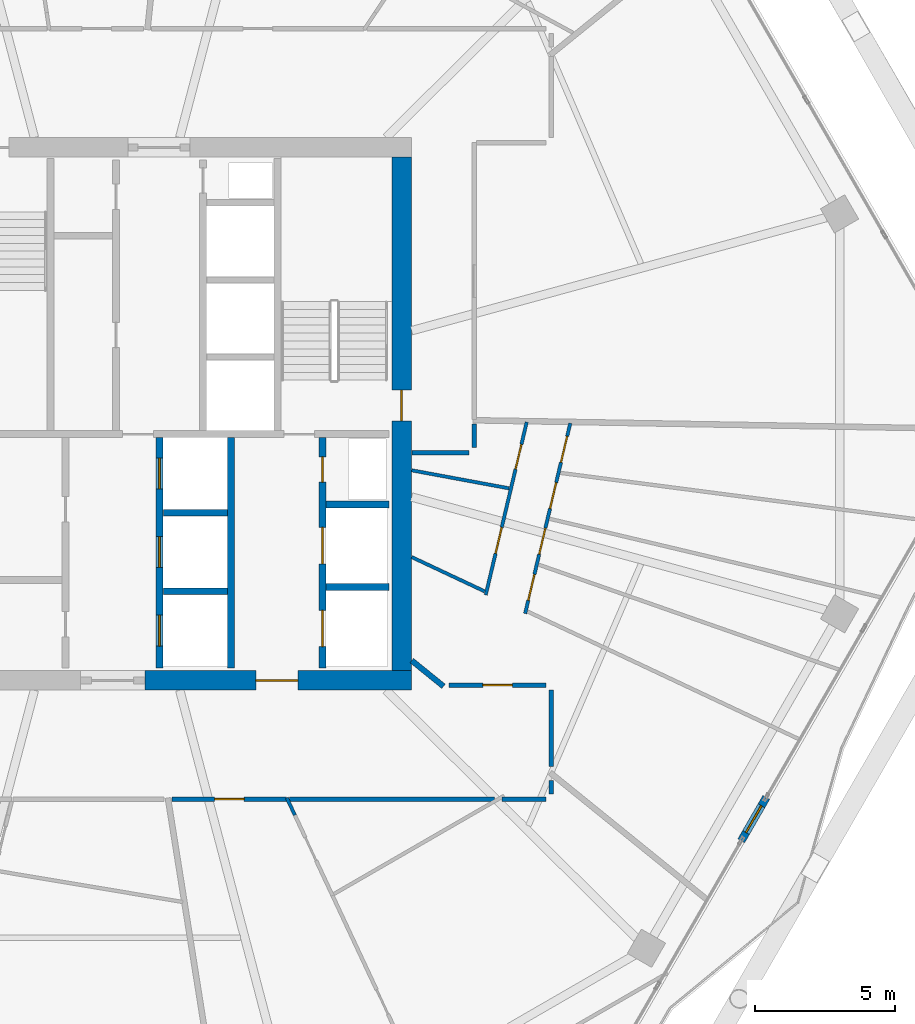
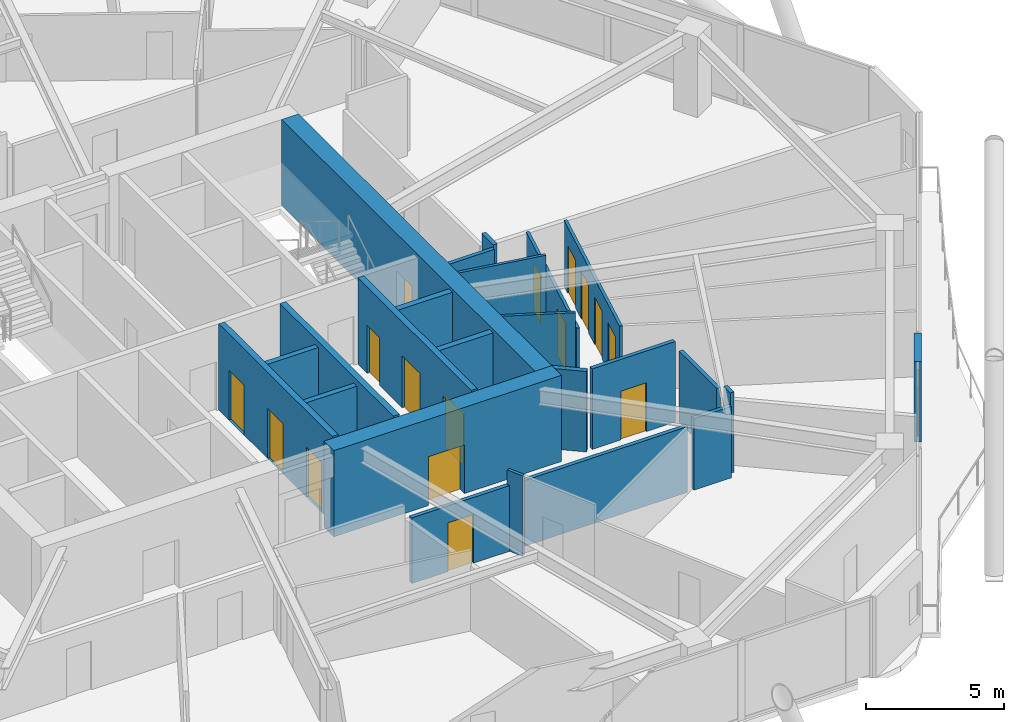
# One storey, part 24 of 30: 24 walls, 17 doors, 17 openings.
"""IFC4 building model written with IfcOpenShell, lengths in metres."""

from ifc_helpers import new_model, si_unit, direction, frame, frame_2d, origin, place, context, subcontext, project, spatial, rectangle, extrude, material, layer, layer_set, type_object, element, fill, save


model = new_model("IFC4")

# Units and contexts
model_context = context("Model", 3, precision=1e-05, world=origin(), true_north=direction((0.0, 1.0)))
body_context = subcontext(model_context, "Body", "Model", "MODEL_VIEW")
ifc_project = project(units=[si_unit("LENGTHUNIT", "METRE"), si_unit("AREAUNIT", "SQUARE_METRE"), si_unit("VOLUMEUNIT", "CUBIC_METRE"), si_unit("PLANEANGLEUNIT", "RADIAN"), si_unit("MASSUNIT", "GRAM", prefix="KILO")], contexts=[model_context])

# Site, building, storey
site_placement = place(None, origin())
site = spatial("IfcSite", under=ifc_project, at=site_placement, CompositionType="ELEMENT")
building_placement = place(site_placement, origin())
building = spatial("IfcBuilding", under=site, at=building_placement, Name="Zuhravey Tower", CompositionType="ELEMENT")
storey_placement = place(building_placement, frame((0.0, 0.0, 177.0)))
storey = spatial("IfcBuildingStorey", under=building, at=storey_placement, Name="L44", CompositionType="ELEMENT", Elevation=177.0)

# Wall, opening, door
ifc_material_1 = material(Name="Concrete C60/75", Category="concrete")
ifc_layer_1 = layer(ifc_material_1, 0.699951171875)
ifc_layer_set_1 = layer_set([ifc_layer_1], Name="Concrete C60/75")
wall_type_1 = type_object("IfcWallType", Name="Core Shear Wall 700", PredefinedType="SHEAR", material=ifc_layer_set_1)
wall_1_placement = place(storey_placement, frame((37.35009765625, 22.5, 0.0), z_axis=(0.0, 0.0, 1.0), x_axis=(1.0, 0.0, 0.0)))
wall_1 = element("IfcWall", 1, at=wall_1_placement, inside=storey, type_object=wall_type_1, Name="L44 South-East Core Shear Wall CW70", PredefinedType="SHEAR", context=body_context, shape_type="SweptSolid", body=[
    extrude(rectangle(XDim=9.5, YDim=0.699951171875, at=frame_2d((4.75, 0.0))), origin(), (0.0, 0.0, 1.0), 3.800048828125),
])
opening_1_placement = place(wall_1_placement, frame((3.949951171875, 0.0, 0.0)))
opening_1 = element("IfcOpeningElement", 2, at=opening_1_placement, cuts=wall_1, Name="Opening FFD1", PredefinedType="OPENING", context=body_context, shape_type="SweptSolid", body=[
    extrude(rectangle(XDim=1.5, YDim=2.14990234375, at=frame_2d((0.75, 1.074951171875))), frame((0.0, 0.362060546875, 0.0), z_axis=(0.0, -1.0, 0.0), x_axis=(1.0, 0.0, 0.0)), (0.0, 0.0, 1.0), 0.723876953125),
])
ifc_material_2 = material(Name="Galvanised fire-rated steel leaf", Category="steel")
door_type_1 = type_object("IfcDoorType", Name="Firefighting Lobby Double Door 1500x2150", OperationType="DOUBLE_DOOR_SINGLE_SWING", PredefinedType="DOOR", material=ifc_material_2)
door_1_placement = place(opening_1_placement, origin())
door_1 = element("IfcDoor", 3, at=door_1_placement, inside=storey, type_object=door_type_1, Name="L44 Firefighting Lobby East Door", OperationType="DOUBLE_DOOR_SINGLE_SWING", OverallHeight=2.14990234375, OverallWidth=1.5, PredefinedType="DOOR", context=body_context, shape_type="SweptSolid", body=[
    extrude(rectangle(XDim=1.5, YDim=2.14990234375, at=frame_2d((0.75, 1.074951171875))), frame((0.0, 0.02490234375, 0.0), z_axis=(0.0, -1.0, 0.0), x_axis=(1.0, 0.0, 0.0)), (0.0, 0.0, 1.0), 0.050048828125),
])
fill(opening_1, door_1)

wall_2_placement = place(storey_placement, frame((46.5, 22.85009765625, 0.0), z_axis=(0.0, 0.0, 1.0), x_axis=(0.0, 1.0, 0.0)))
wall_2 = element("IfcWall", 4, at=wall_2_placement, inside=storey, type_object=wall_type_1, Name="L44 East Core Shear Wall CW70", PredefinedType="SHEAR", context=body_context, shape_type="SweptSolid", body=[
    extrude(rectangle(XDim=18.2998046875, YDim=0.699951171875, at=frame_2d((9.14990234375, 0.0))), origin(), (0.0, 0.0, 1.0), 3.800048828125),
])
opening_2_placement = place(wall_2_placement, frame((8.89990234375, 0.0, 0.0)))
opening_2 = element("IfcOpeningElement", 5, at=opening_2_placement, cuts=wall_2, Name="Opening STD1", PredefinedType="OPENING", context=body_context, shape_type="SweptSolid", body=[
    extrude(rectangle(XDim=1.10009765625, YDim=2.14990234375, at=frame_2d((0.550048828125, 1.074951171875))), frame((0.0, 0.362060546875, 0.0), z_axis=(0.0, -1.0, 0.0), x_axis=(1.0, 0.0, 0.0)), (0.0, 0.0, 1.0), 0.723876953125),
])
door_type_2 = type_object("IfcDoorType", Name="Protected Stair Fire Door 1100x2150", OperationType="NOTDEFINED", PredefinedType="USERDEFINED", material=ifc_material_2)
door_2_placement = place(opening_2_placement, origin())
door_2 = element("IfcDoor", 6, at=door_2_placement, inside=storey, type_object=door_type_2, Name="L44 Stair ST2 Door", ObjectType="EXITDOOR", OperationType="SINGLE_SWING_RIGHT", OverallHeight=2.14990234375, OverallWidth=1.10009765625, PredefinedType="USERDEFINED", context=body_context, shape_type="SweptSolid", body=[
    extrude(rectangle(XDim=1.10009765625, YDim=2.14990234375, at=frame_2d((0.550048828125, 1.074951171875))), frame((0.0, 0.02490234375, 0.0), z_axis=(0.0, -1.0, 0.0), x_axis=(1.0, 0.0, 0.0)), (0.0, 0.0, 1.0), 0.050048828125),
])
fill(opening_2, door_2)

ifc_material_3 = material(Name="Gypsum fire-rated stud partition")
ifc_layer_2 = layer(ifc_material_3, 0.159912109375)
ifc_layer_set_2 = layer_set([ifc_layer_2], Name="Gypsum fire-rated stud partition")
wall_type_2 = type_object("IfcWallType", Name="Corridor Fire Partition 160", PredefinedType="PARTITIONING", material=ifc_layer_set_2)
wall_3_placement = place(storey_placement, frame((38.31787109375, 18.27001953125, 0.0), z_axis=(0.0, 0.0, 1.0), x_axis=(1.0, 0.0, 0.0)))
wall_3 = element("IfcWall", 7, at=wall_3_placement, inside=storey, type_object=wall_type_2, Name="L44 IW16 Partition 050", PredefinedType="PARTITIONING", context=body_context, shape_type="SweptSolid", body=[
    extrude(rectangle(XDim=4.0859375, YDim=0.159912109375, at=frame_2d((2.04296875, 0.0))), origin(), (0.0, 0.0, 1.0), 2.89990234375),
])
opening_3_placement = place(wall_3_placement, frame((1.517822265625, 0.0, 0.0)))
opening_3 = element("IfcOpeningElement", 8, at=opening_3_placement, cuts=wall_3, Name="Opening APD1", PredefinedType="OPENING", context=body_context, shape_type="SweptSolid", body=[
    extrude(rectangle(XDim=1.050048828125, YDim=2.14990234375, at=frame_2d((0.52490234375, 1.074951171875))), frame((0.0, 0.092041015625, 0.0), z_axis=(0.0, -1.0, 0.0), x_axis=(1.0, 0.0, 0.0)), (0.0, 0.0, 1.0), 0.183837890625),
])
ifc_material_4 = material(Name="Solid-core oak fire-rated leaf")
door_type_3 = type_object("IfcDoorType", Name="Apartment Entrance Fire Door 1050x2150", OperationType="NOTDEFINED", PredefinedType="DOOR", material=ifc_material_4)
door_3_placement = place(opening_3_placement, frame((1.050048828125, 0.0, 0.0), z_axis=(0.0, 0.0, 1.0), x_axis=(-1.0, 0.0, 0.0)))
door_3 = element("IfcDoor", 9, at=door_3_placement, inside=storey, type_object=door_type_3, Name="L44 Door 050.1", OperationType="SINGLE_SWING_LEFT", OverallHeight=2.14990234375, OverallWidth=1.050048828125, PredefinedType="DOOR", context=body_context, shape_type="SweptSolid", body=[
    extrude(rectangle(XDim=1.050048828125, YDim=2.14990234375, at=frame_2d((0.52490234375, 1.074951171875))), frame((0.0, 0.02490234375, 0.0), z_axis=(0.0, -1.0, 0.0), x_axis=(1.0, 0.0, 0.0)), (0.0, 0.0, 1.0), 0.050048828125),
])
fill(opening_3, door_3)

wall_4_placement = place(storey_placement, frame((51.6494140625, 22.330078125, 0.0), z_axis=(0.0, 0.0, 1.0), x_axis=(-1.0, 0.0, 0.0)))
wall_4 = element("IfcWall", 10, at=wall_4_placement, inside=storey, type_object=wall_type_2, Name="L44 IW16 Partition 053", PredefinedType="PARTITIONING", context=body_context, shape_type="SweptSolid", body=[
    extrude(rectangle(XDim=3.46044921875, YDim=0.159912109375, at=frame_2d((1.730224609375, 0.0))), origin(), (0.0, 0.0, 1.0), 3.550048828125),
])
opening_4_placement = place(wall_4_placement, frame((1.205078125, 0.0, 0.0)))
opening_4 = element("IfcOpeningElement", 11, at=opening_4_placement, cuts=wall_4, Name="Opening APD1", PredefinedType="OPENING", context=body_context, shape_type="SweptSolid", body=[
    extrude(rectangle(XDim=1.050048828125, YDim=2.14990234375, at=frame_2d((0.52490234375, 1.074951171875))), frame((0.0, 0.092041015625, 0.0), z_axis=(0.0, -1.0, 0.0), x_axis=(1.0, 0.0, 0.0)), (0.0, 0.0, 1.0), 0.183837890625),
])
door_4_placement = place(opening_4_placement, frame((1.050048828125, 0.0, 0.0), z_axis=(0.0, 0.0, 1.0), x_axis=(-1.0, 0.0, 0.0)))
door_4 = element("IfcDoor", 12, at=door_4_placement, inside=storey, type_object=door_type_3, Name="L44 Door 053.1", OperationType="SINGLE_SWING_RIGHT", OverallHeight=2.14990234375, OverallWidth=1.050048828125, PredefinedType="DOOR", context=body_context, shape_type="SweptSolid", body=[
    extrude(rectangle(XDim=1.050048828125, YDim=2.14990234375, at=frame_2d((0.52490234375, 1.074951171875))), frame((0.0, 0.02490234375, 0.0), z_axis=(0.0, -1.0, 0.0), x_axis=(1.0, 0.0, 0.0)), (0.0, 0.0, 1.0), 0.050048828125),
])
fill(opening_4, door_4)

# Walls
wall_5_placement = place(storey_placement, frame((42.500732421875, 18.27001953125, 0.0), z_axis=(0.0, 0.0, 1.0), x_axis=(1.0, 0.0, 0.0)))
element("IfcWall", 13, at=wall_5_placement, inside=storey, type_object=wall_type_2, Name="L44 IW16 Partition 119", PredefinedType="PARTITIONING", context=body_context, shape_type="SweptSolid", body=[
    extrude(rectangle(XDim=7.30810546875, YDim=0.159912109375, at=frame_2d((3.654052734375, 0.0))), origin(), (0.0, 0.0, 1.0), 2.89990234375),
])
wall_6_placement = place(storey_placement, frame((50.080810546875, 18.27001953125, 0.0), z_axis=(0.0, 0.0, 1.0), x_axis=(1.0, 0.0, 0.0)))
element("IfcWall", 14, at=wall_6_placement, inside=storey, type_object=wall_type_2, Name="L44 IW16 Partition 120", PredefinedType="PARTITIONING", context=body_context, shape_type="SweptSolid", body=[
    extrude(rectangle(XDim=1.569091796875, YDim=0.159912109375, at=frame_2d((0.78466796875, 0.0))), origin(), (0.0, 0.0, 1.0), 3.14990234375),
])
wall_7_placement = place(storey_placement, frame((51.830078125, 18.449951171875, 0.0), z_axis=(0.0, 0.0, 1.0), x_axis=(0.0, 1.0, 0.0)))
element("IfcWall", 15, at=wall_7_placement, inside=storey, type_object=wall_type_2, Name="L44 IW16 Partition 121", PredefinedType="PARTITIONING", context=body_context, shape_type="SweptSolid", body=[
    extrude(rectangle(XDim=0.474853515625, YDim=0.159912109375, at=frame_2d((0.2373046875, 0.0))), origin(), (0.0, 0.0, 1.0), 3.550048828125),
])
wall_8_placement = place(storey_placement, frame((51.830078125, 19.433837890625, 0.0), z_axis=(0.0, 0.0, 1.0), x_axis=(0.0, 1.0, 0.0)))
element("IfcWall", 16, at=wall_8_placement, inside=storey, type_object=wall_type_2, Name="L44 IW16 Partition 122", PredefinedType="PARTITIONING", context=body_context, shape_type="SweptSolid", body=[
    extrude(rectangle(XDim=2.715576171875, YDim=0.159912109375, at=frame_2d((1.35791015625, 0.0))), origin(), (0.0, 0.0, 1.0), 3.14990234375),
])
wall_9_placement = place(storey_placement, frame((46.8701171875, 30.6201171875, 0.0), z_axis=(0.0, 0.0, 1.0), x_axis=(1.0, 0.0, 0.0)))
element("IfcWall", 17, at=wall_9_placement, inside=storey, type_object=wall_type_2, Name="L44 IW16 Partition 123", PredefinedType="PARTITIONING", context=body_context, shape_type="SweptSolid", body=[
    extrude(rectangle(XDim=2.02978515625, YDim=0.159912109375, at=frame_2d((1.014892578125, 0.0))), origin(), (0.0, 0.0, 1.0), 3.550048828125),
])
wall_10_placement = place(storey_placement, frame((49.080078125, 30.800048828125, 0.0), z_axis=(0.0, 0.0, 1.0), x_axis=(0.0, 1.0, 0.0)))
element("IfcWall", 18, at=wall_10_placement, inside=storey, type_object=wall_type_2, Name="L44 IW16 Partition 124", PredefinedType="PARTITIONING", context=body_context, shape_type="SweptSolid", body=[
    extrude(rectangle(XDim=0.83740234375, YDim=0.159912109375, at=frame_2d((0.418701171875, 0.0))), origin(), (0.0, 0.0, 1.0), 3.550048828125),
])

# Wall, opening, door
ifc_material_5 = material(Name="Precast concrete C40/50", Category="concrete")
ifc_layer_3 = layer(ifc_material_5, 0.280029296875)
ifc_layer_set_3 = layer_set([ifc_layer_3], Name="Precast concrete C40/50")
wall_type_3 = type_object("IfcWallType", Name="Crown Architectural Wall 280", PredefinedType="SOLIDWALL", material=ifc_layer_set_3)
wall_11_placement = place(storey_placement, frame((59.49609375, 18.330078125, 0.0), z_axis=(0.0, 0.0, 1.0), x_axis=(-0.499982180423, -0.866035691677, 0.0)))
wall_11 = element("IfcWall", 19, at=wall_11_placement, inside=storey, type_object=wall_type_3, Name="L44 Face 6 Facade Pier EW28-1", PredefinedType="SOLIDWALL", context=body_context, shape_type="SweptSolid", body=[
    extrude(rectangle(XDim=1.7900390625, YDim=0.280029296875, at=frame_2d((0.89501953125, 0.0))), origin(), (0.0, 0.0, 1.0), 3.550048828125),
])
opening_5_placement = place(wall_11_placement, frame((0.344970703125, 0.0, 0.0)))
opening_5 = element("IfcOpeningElement", 20, at=opening_5_placement, cuts=wall_11, Name="Opening BLD1", PredefinedType="OPENING", context=body_context, shape_type="SweptSolid", body=[
    extrude(rectangle(XDim=1.10009765625, YDim=2.199951171875, at=frame_2d((0.550048828125, 1.10009765625))), frame((0.0, 0.152099609375, 0.0), z_axis=(0.0, -1.0, 0.0), x_axis=(1.0, 0.0, 0.0)), (0.0, 0.0, 1.0), 0.303955078125),
])
ifc_material_6 = material(Name="Thermally broken aluminium and low-E glass", Category="aluminium")
door_type_4 = type_object("IfcDoorType", Name="Balcony & Sky-Tray Glazed Door 1100x2200", OperationType="NOTDEFINED", PredefinedType="DOOR", material=ifc_material_6)
door_5_placement = place(opening_5_placement, frame((1.10009765625, 0.0, 0.0), z_axis=(0.0, 0.0, 1.0), x_axis=(-1.0, 0.0, 0.0)))
door_5 = element("IfcDoor", 21, at=door_5_placement, inside=storey, type_object=door_type_4, Name="L44 Face 6 Wave Balcony Door", OperationType="SINGLE_SWING_LEFT", OverallHeight=2.199951171875, OverallWidth=1.10009765625, PredefinedType="DOOR", context=body_context, shape_type="SweptSolid", body=[
    extrude(rectangle(XDim=1.10009765625, YDim=2.199951171875, at=frame_2d((0.550048828125, 1.10009765625))), frame((0.0, 0.02490234375, 0.0), z_axis=(0.0, -1.0, 0.0), x_axis=(1.0, 0.0, 0.0)), (0.0, 0.0, 1.0), 0.050048828125),
])
fill(opening_5, door_5)

# Wall, openings, doors
ifc_material_7 = material(Name="Concrete C50/60", Category="concrete")
ifc_layer_4 = layer(ifc_material_7, 0.25)
ifc_layer_set_4 = layer_set([ifc_layer_4], Name="Concrete C50/60")
wall_type_4 = type_object("IfcWallType", Name="Firefighting Shaft & Stair Wall 250", PredefinedType="SOLIDWALL", material=ifc_layer_set_4)
wall_12_placement = place(storey_placement, frame((37.875, 22.949951171875, 0.0), z_axis=(0.0, 0.0, 1.0), x_axis=(0.0, 1.0, 0.0)))
wall_12 = element("IfcWall", 22, at=wall_12_placement, inside=storey, type_object=wall_type_4, Name="L44 FW25 Shaft Wall 015", PredefinedType="SOLIDWALL", context=body_context, shape_type="SweptSolid", body=[
    extrude(rectangle(XDim=8.199951171875, YDim=0.25, at=frame_2d((4.10009765625, 0.0))), origin(), (0.0, 0.0, 1.0), 3.800048828125),
])
opening_6_placement = place(wall_12_placement, frame((0.77490234375, 0.0, 0.0)))
opening_6 = element("IfcOpeningElement", 23, at=opening_6_placement, cuts=wall_12, Name="Opening LD1", PredefinedType="OPENING", context=body_context, shape_type="SweptSolid", body=[
    extrude(rectangle(XDim=1.10009765625, YDim=2.199951171875, at=frame_2d((0.550048828125, 1.10009765625))), frame((0.0, 0.136962890625, 0.0), z_axis=(0.0, -1.0, 0.0), x_axis=(1.0, 0.0, 0.0)), (0.0, 0.0, 1.0), 0.27392578125),
])
opening_7_placement = place(wall_12_placement, frame((3.574951171875, 0.0, 0.0)))
opening_7 = element("IfcOpeningElement", 24, at=opening_7_placement, cuts=wall_12, Name="Opening LD1", PredefinedType="OPENING", context=body_context, shape_type="SweptSolid", body=[
    extrude(rectangle(XDim=1.10009765625, YDim=2.199951171875, at=frame_2d((0.550048828125, 1.10009765625))), frame((0.0, 0.136962890625, 0.0), z_axis=(0.0, -1.0, 0.0), x_axis=(1.0, 0.0, 0.0)), (0.0, 0.0, 1.0), 0.27392578125),
])
opening_8_placement = place(wall_12_placement, frame((6.375, 0.0, 0.0)))
opening_8 = element("IfcOpeningElement", 25, at=opening_8_placement, cuts=wall_12, Name="Opening LD1", PredefinedType="OPENING", context=body_context, shape_type="SweptSolid", body=[
    extrude(rectangle(XDim=1.10009765625, YDim=2.199951171875, at=frame_2d((0.550048828125, 1.10009765625))), frame((0.0, 0.136962890625, 0.0), z_axis=(0.0, -1.0, 0.0), x_axis=(1.0, 0.0, 0.0)), (0.0, 0.0, 1.0), 0.27392578125),
])
ifc_material_8 = material(Name="Brushed stainless steel", Category="steel")
door_type_5 = type_object("IfcDoorType", Name="Lift Landing Sliding Door 1100x2200", OperationType="DOUBLE_DOOR_SLIDING", PredefinedType="DOOR", material=ifc_material_8)
door_6_placement = place(opening_6_placement, origin())
door_6 = element("IfcDoor", 26, at=door_6_placement, inside=storey, type_object=door_type_5, Name="L44 Lift PL4 Landing Door", OperationType="DOUBLE_DOOR_SLIDING", OverallHeight=2.199951171875, OverallWidth=1.10009765625, PredefinedType="DOOR", context=body_context, shape_type="SweptSolid", body=[
    extrude(rectangle(XDim=1.10009765625, YDim=2.199951171875, at=frame_2d((0.550048828125, 1.10009765625))), frame((0.0, 0.02490234375, 0.0), z_axis=(0.0, -1.0, 0.0), x_axis=(1.0, 0.0, 0.0)), (0.0, 0.0, 1.0), 0.050048828125),
])
fill(opening_6, door_6)
door_7_placement = place(opening_7_placement, origin())
door_7 = element("IfcDoor", 27, at=door_7_placement, inside=storey, type_object=door_type_5, Name="L44 Lift PL5 Landing Door", OperationType="DOUBLE_DOOR_SLIDING", OverallHeight=2.199951171875, OverallWidth=1.10009765625, PredefinedType="DOOR", context=body_context, shape_type="SweptSolid", body=[
    extrude(rectangle(XDim=1.10009765625, YDim=2.199951171875, at=frame_2d((0.550048828125, 1.10009765625))), frame((0.0, 0.02490234375, 0.0), z_axis=(0.0, -1.0, 0.0), x_axis=(1.0, 0.0, 0.0)), (0.0, 0.0, 1.0), 0.050048828125),
])
fill(opening_7, door_7)
door_8_placement = place(opening_8_placement, origin())
door_8 = element("IfcDoor", 28, at=door_8_placement, inside=storey, type_object=door_type_5, Name="L44 Lift PL6 Landing Door", OperationType="DOUBLE_DOOR_SLIDING", OverallHeight=2.199951171875, OverallWidth=1.10009765625, PredefinedType="DOOR", context=body_context, shape_type="SweptSolid", body=[
    extrude(rectangle(XDim=1.10009765625, YDim=2.199951171875, at=frame_2d((0.550048828125, 1.10009765625))), frame((0.0, 0.02490234375, 0.0), z_axis=(0.0, -1.0, 0.0), x_axis=(1.0, 0.0, 0.0)), (0.0, 0.0, 1.0), 0.050048828125),
])
fill(opening_8, door_8)

# Walls
wall_13_placement = place(storey_placement, frame((40.425048828125, 22.949951171875, 0.0), z_axis=(0.0, 0.0, 1.0), x_axis=(0.0, 1.0, 0.0)))
element("IfcWall", 29, at=wall_13_placement, inside=storey, type_object=wall_type_4, Name="L44 FW25 Shaft Wall 016", PredefinedType="SOLIDWALL", context=body_context, shape_type="SweptSolid", body=[
    extrude(rectangle(XDim=8.199951171875, YDim=0.25, at=frame_2d((4.10009765625, 0.0))), origin(), (0.0, 0.0, 1.0), 3.800048828125),
])
for number, where, z_axis, x_axis, name in (
    (30, (43.800048828125, 25.824951171875, 0.0), (0.0, 0.0, 1.0), (1.0, 0.0, 0.0), "L44 FW25 Shaft Wall 017"),
    (31, (43.800048828125, 28.77490234375, 0.0), (0.0, 0.0, 1.0), (1.0, 0.0, 0.0), "L44 FW25 Shaft Wall 018"),
):
    element("IfcWall", number, at=place(storey_placement, frame(where, z_axis=z_axis, x_axis=x_axis)), inside=storey, type_object=wall_type_4, Name=name, PredefinedType="SOLIDWALL", context=body_context, shape_type="SweptSolid", body=[
        extrude(rectangle(XDim=2.25, YDim=0.25, at=frame_2d((1.125, 0.0))), origin(), (0.0, 0.0, 1.0), 3.800048828125),
    ])

# Wall, openings, doors
wall_14_placement = place(storey_placement, frame((43.675048828125, 22.949951171875, 0.0), z_axis=(0.0, 0.0, 1.0), x_axis=(0.0, 1.0, 0.0)))
wall_14 = element("IfcWall", 32, at=wall_14_placement, inside=storey, type_object=wall_type_4, Name="L44 FW25 Shaft Wall 019", PredefinedType="SOLIDWALL", context=body_context, shape_type="SweptSolid", body=[
    extrude(rectangle(XDim=8.199951171875, YDim=0.25, at=frame_2d((4.10009765625, 0.0))), origin(), (0.0, 0.0, 1.0), 3.800048828125),
])
opening_9_placement = place(wall_14_placement, frame((0.75, 0.0, 0.0)))
opening_9 = element("IfcOpeningElement", 33, at=opening_9_placement, cuts=wall_14, Name="Opening LD2", PredefinedType="OPENING", context=body_context, shape_type="SweptSolid", body=[
    extrude(rectangle(XDim=1.300048828125, YDim=2.300048828125, at=frame_2d((0.64990234375, 1.14990234375))), frame((0.0, 0.136962890625, 0.0), z_axis=(0.0, -1.0, 0.0), x_axis=(1.0, 0.0, 0.0)), (0.0, 0.0, 1.0), 0.27392578125),
])
opening_10_placement = place(wall_14_placement, frame((3.699951171875, 0.0, 0.0)))
opening_10 = element("IfcOpeningElement", 34, at=opening_10_placement, cuts=wall_14, Name="Opening LD2", PredefinedType="OPENING", context=body_context, shape_type="SweptSolid", body=[
    extrude(rectangle(XDim=1.300048828125, YDim=2.300048828125, at=frame_2d((0.64990234375, 1.14990234375))), frame((0.0, 0.136962890625, 0.0), z_axis=(0.0, -1.0, 0.0), x_axis=(1.0, 0.0, 0.0)), (0.0, 0.0, 1.0), 0.27392578125),
])
opening_11_placement = place(wall_14_placement, frame((6.6201171875, 0.0, 0.0)))
opening_11 = element("IfcOpeningElement", 35, at=opening_11_placement, cuts=wall_14, Name="Opening RSD1", PredefinedType="OPENING", context=body_context, shape_type="SweptSolid", body=[
    extrude(rectangle(XDim=0.89990234375, YDim=2.10009765625, at=frame_2d((0.449951171875, 1.050048828125))), frame((0.0, 0.136962890625, 0.0), z_axis=(0.0, -1.0, 0.0), x_axis=(1.0, 0.0, 0.0)), (0.0, 0.0, 1.0), 0.27392578125),
])
door_type_6 = type_object("IfcDoorType", Name="Freight & Stretcher Lift Sliding Door 1300x2300", OperationType="DOUBLE_DOOR_SLIDING", PredefinedType="DOOR", material=ifc_material_8)
door_9_placement = place(opening_9_placement, origin())
door_9 = element("IfcDoor", 36, at=door_9_placement, inside=storey, type_object=door_type_6, Name="L44 Lift FF2 Landing Door", OperationType="DOUBLE_DOOR_SLIDING", OverallHeight=2.300048828125, OverallWidth=1.300048828125, PredefinedType="DOOR", context=body_context, shape_type="SweptSolid", body=[
    extrude(rectangle(XDim=1.300048828125, YDim=2.300048828125, at=frame_2d((0.64990234375, 1.14990234375))), frame((0.0, 0.02490234375, 0.0), z_axis=(0.0, -1.0, 0.0), x_axis=(1.0, 0.0, 0.0)), (0.0, 0.0, 1.0), 0.050048828125),
])
fill(opening_9, door_9)
door_10_placement = place(opening_10_placement, origin())
door_10 = element("IfcDoor", 37, at=door_10_placement, inside=storey, type_object=door_type_6, Name="L44 Lift SV1 Landing Door", OperationType="DOUBLE_DOOR_SLIDING", OverallHeight=2.300048828125, OverallWidth=1.300048828125, PredefinedType="DOOR", context=body_context, shape_type="SweptSolid", body=[
    extrude(rectangle(XDim=1.300048828125, YDim=2.300048828125, at=frame_2d((0.64990234375, 1.14990234375))), frame((0.0, 0.02490234375, 0.0), z_axis=(0.0, -1.0, 0.0), x_axis=(1.0, 0.0, 0.0)), (0.0, 0.0, 1.0), 0.050048828125),
])
fill(opening_10, door_10)
ifc_material_9 = material(Name="Galvanised fire-rated steel access leaf", Category="steel")
door_type_7 = type_object("IfcDoorType", Name="Riser & Shaft Access Fire Door 900x2100", OperationType="NOTDEFINED", PredefinedType="DOOR", material=ifc_material_9)
door_11_placement = place(opening_11_placement, origin())
door_11 = element("IfcDoor", 38, at=door_11_placement, inside=storey, type_object=door_type_7, Name="L44 Plumbing Riser Door", OperationType="SINGLE_SWING_RIGHT", OverallHeight=2.10009765625, OverallWidth=0.89990234375, PredefinedType="DOOR", context=body_context, shape_type="SweptSolid", body=[
    extrude(rectangle(XDim=0.89990234375, YDim=2.10009765625, at=frame_2d((0.449951171875, 1.050048828125))), frame((0.0, 0.02490234375, 0.0), z_axis=(0.0, -1.0, 0.0), x_axis=(1.0, 0.0, 0.0)), (0.0, 0.0, 1.0), 0.050048828125),
])
fill(opening_11, door_11)

# Walls
ifc_material_10 = material(Name="Gypsum double-stud party assembly")
ifc_layer_5 = layer(ifc_material_10, 0.199951171875)
ifc_layer_set_5 = layer_set([ifc_layer_5], Name="Gypsum double-stud party assembly")
wall_type_5 = type_object("IfcWallType", Name="Inter-Tenancy Party Wall 200", PredefinedType="PARTITIONING", material=ifc_layer_set_5)
wall_15_placement = place(storey_placement, frame((46.85791015625, 23.207275390625, 0.0), z_axis=(0.0, 0.0, 1.0), x_axis=(0.777244870707, -0.629198228668, 0.0)))
element("IfcWall", 39, at=wall_15_placement, inside=storey, type_object=wall_type_5, Name="L44 IW20 Partition 095", PredefinedType="PARTITIONING", context=body_context, shape_type="SweptSolid", body=[
    extrude(rectangle(XDim=1.457763671875, YDim=0.199951171875, at=frame_2d((0.72900390625, 0.0))), origin(), (0.0, 0.0, 1.0), 3.550048828125),
])
ifc_material_11 = material(Name="Gypsum acoustic stud assembly")
ifc_layer_6 = layer(ifc_material_11, 0.219970703125)
ifc_layer_set_6 = layer_set([ifc_layer_6], Name="Gypsum acoustic stud assembly")
wall_type_6 = type_object("IfcWallType", Name="School Acoustic Compartment Wall 220", PredefinedType="PARTITIONING", material=ifc_layer_set_6)
for number, where, z_axis, x_axis, name in (
    (40, (38.008056640625, 25.675048828125, 0.0), (0.0, 0.0, 1.0), (1.0, 0.0, 0.0), "L44 IW22 Partition 059"),
    (41, (38.008056640625, 28.47509765625, 0.0), (0.0, 0.0, 1.0), (1.0, 0.0, 0.0), "L44 IW22 Partition 060"),
):
    element("IfcWall", number, at=place(storey_placement, frame(where, z_axis=z_axis, x_axis=x_axis)), inside=storey, type_object=wall_type_6, Name=name, PredefinedType="PARTITIONING", context=body_context, shape_type="SweptSolid", body=[
        extrude(rectangle(XDim=2.283935546875, YDim=0.219970703125, at=frame_2d((1.14208984375, 0.0))), origin(), (0.0, 0.0, 1.0), 3.550048828125),
    ])

# Wall, openings, doors
ifc_material_12 = material(Name="Gypsum metal-stud partition")
ifc_layer_7 = layer(ifc_material_12, 0.1201171875)
ifc_layer_set_7 = layer_set([ifc_layer_7], Name="Gypsum metal-stud partition")
wall_type_7 = type_object("IfcWallType", Name="Unit Internal Partition 120", PredefinedType="PARTITIONING", material=ifc_layer_set_7)
wall_16_placement = place(storey_placement, frame((49.49560546875, 25.544677734375, 0.0), z_axis=(0.0, 0.0, 1.0), x_axis=(0.230738150412, 0.973015881651, 0.0)))
wall_16 = element("IfcWall", 42, at=wall_16_placement, inside=storey, type_object=wall_type_7, Name="L44 IW12 Partition 051", PredefinedType="PARTITIONING", context=body_context, shape_type="SweptSolid", body=[
    extrude(rectangle(XDim=6.334716796875, YDim=0.1201171875, at=frame_2d((3.16748046875, 0.0))), origin(), (0.0, 0.0, 1.0), 2.89990234375),
])
opening_12_placement = place(wall_16_placement, frame((1.522705078125, 0.0, 0.0)))
opening_12 = element("IfcOpeningElement", 43, at=opening_12_placement, cuts=wall_16, Name="Opening IND1", PredefinedType="OPENING", context=body_context, shape_type="SweptSolid", body=[
    extrude(rectangle(XDim=0.949951171875, YDim=2.10009765625, at=frame_2d((0.47509765625, 1.050048828125))), frame((0.0, 0.072021484375, 0.0), z_axis=(0.0, -1.0, 0.0), x_axis=(1.0, 0.0, 0.0)), (0.0, 0.0, 1.0), 0.14404296875),
])
opening_13_placement = place(wall_16_placement, frame((4.61279296875, 0.0, 0.0)))
opening_13 = element("IfcOpeningElement", 44, at=opening_13_placement, cuts=wall_16, Name="Opening WCD1", PredefinedType="OPENING", context=body_context, shape_type="SweptSolid", body=[
    extrude(rectangle(XDim=0.89990234375, YDim=2.10009765625, at=frame_2d((0.449951171875, 1.050048828125))), frame((0.0, 0.072021484375, 0.0), z_axis=(0.0, -1.0, 0.0), x_axis=(1.0, 0.0, 0.0)), (0.0, 0.0, 1.0), 0.14404296875),
])
ifc_material_13 = material(Name="Moisture-resistant timber leaf", Category="wood")
door_type_8 = type_object("IfcDoorType", Name="Bathroom & WC Internal Door 900x2100", OperationType="NOTDEFINED", PredefinedType="DOOR", material=ifc_material_13)
door_12_placement = place(opening_13_placement, origin())
door_12 = element("IfcDoor", 45, at=door_12_placement, inside=storey, type_object=door_type_8, Name="Apartment L44-08 Bathroom Door", OperationType="SINGLE_SWING_LEFT", OverallHeight=2.10009765625, OverallWidth=0.89990234375, PredefinedType="DOOR", context=body_context, shape_type="SweptSolid", body=[
    extrude(rectangle(XDim=0.89990234375, YDim=2.10009765625, at=frame_2d((0.449951171875, 1.050048828125))), frame((0.0, 0.02490234375, 0.0), z_axis=(0.0, -1.0, 0.0), x_axis=(1.0, 0.0, 0.0)), (0.0, 0.0, 1.0), 0.050048828125),
])
fill(opening_13, door_12)
ifc_material_14 = material(Name="Painted engineered timber leaf", Category="wood")
door_type_9 = type_object("IfcDoorType", Name="Internal Room & Bedroom Door 950x2100", OperationType="NOTDEFINED", PredefinedType="DOOR", material=ifc_material_14)
door_13_placement = place(opening_12_placement, origin())
door_13 = element("IfcDoor", 46, at=door_13_placement, inside=storey, type_object=door_type_9, Name="Apartment L44-08 Kitchen Door", OperationType="SINGLE_SWING_RIGHT", OverallHeight=2.10009765625, OverallWidth=0.949951171875, PredefinedType="DOOR", context=body_context, shape_type="SweptSolid", body=[
    extrude(rectangle(XDim=0.949951171875, YDim=2.10009765625, at=frame_2d((0.47509765625, 1.050048828125))), frame((0.0, 0.02490234375, 0.0), z_axis=(0.0, -1.0, 0.0), x_axis=(1.0, 0.0, 0.0)), (0.0, 0.0, 1.0), 0.050048828125),
])
fill(opening_12, door_13)

wall_17_placement = place(storey_placement, frame((50.901123046875, 24.8837890625, 0.0), z_axis=(0.0, 0.0, 1.0), x_axis=(0.230727269758, 0.973018461793, 0.0)))
wall_17 = element("IfcWall", 47, at=wall_17_placement, inside=storey, type_object=wall_type_7, Name="L44 IW12 Partition 052", PredefinedType="PARTITIONING", context=body_context, shape_type="SweptSolid", body=[
    extrude(rectangle(XDim=6.97216796875, YDim=0.1201171875, at=frame_2d((3.486083984375, 0.0))), origin(), (0.0, 0.0, 1.0), 2.89990234375),
])
opening_14_placement = place(wall_17_placement, frame((0.481201171875, 0.0, 0.0)))
opening_14 = element("IfcOpeningElement", 48, at=opening_14_placement, cuts=wall_17, Name="Opening IND1", PredefinedType="OPENING", context=body_context, shape_type="SweptSolid", body=[
    extrude(rectangle(XDim=0.949951171875, YDim=2.10009765625, at=frame_2d((0.47509765625, 1.050048828125))), frame((0.0, 0.072021484375, 0.0), z_axis=(0.0, -1.0, 0.0), x_axis=(1.0, 0.0, 0.0)), (0.0, 0.0, 1.0), 0.14404296875),
])
opening_15_placement = place(wall_17_placement, frame((2.173828125, 0.0, 0.0)))
opening_15 = element("IfcOpeningElement", 49, at=opening_15_placement, cuts=wall_17, Name="Opening IND1", PredefinedType="OPENING", context=body_context, shape_type="SweptSolid", body=[
    extrude(rectangle(XDim=0.949951171875, YDim=2.10009765625, at=frame_2d((0.47509765625, 1.050048828125))), frame((0.0, 0.072021484375, 0.0), z_axis=(0.0, -1.0, 0.0), x_axis=(1.0, 0.0, 0.0)), (0.0, 0.0, 1.0), 0.14404296875),
])
opening_16_placement = place(wall_17_placement, frame((3.84814453125, 0.0, 0.0)))
opening_16 = element("IfcOpeningElement", 50, at=opening_16_placement, cuts=wall_17, Name="Opening IND1", PredefinedType="OPENING", context=body_context, shape_type="SweptSolid", body=[
    extrude(rectangle(XDim=0.949951171875, YDim=2.10009765625, at=frame_2d((0.47509765625, 1.050048828125))), frame((0.0, 0.072021484375, 0.0), z_axis=(0.0, -1.0, 0.0), x_axis=(1.0, 0.0, 0.0)), (0.0, 0.0, 1.0), 0.14404296875),
])
opening_17_placement = place(wall_17_placement, frame((5.540771484375, 0.0, 0.0)))
opening_17 = element("IfcOpeningElement", 51, at=opening_17_placement, cuts=wall_17, Name="Opening IND1", PredefinedType="OPENING", context=body_context, shape_type="SweptSolid", body=[
    extrude(rectangle(XDim=0.949951171875, YDim=2.10009765625, at=frame_2d((0.47509765625, 1.050048828125))), frame((0.0, 0.072021484375, 0.0), z_axis=(0.0, -1.0, 0.0), x_axis=(1.0, 0.0, 0.0)), (0.0, 0.0, 1.0), 0.14404296875),
])
door_14_placement = place(opening_14_placement, frame((0.949951171875, 0.0, 0.0), z_axis=(0.0, 0.0, 1.0), x_axis=(-1.0, 0.0, 0.0)))
door_14 = element("IfcDoor", 52, at=door_14_placement, inside=storey, type_object=door_type_9, Name="Apartment L44-08 Bedroom 1 Door", OperationType="SINGLE_SWING_RIGHT", OverallHeight=2.10009765625, OverallWidth=0.949951171875, PredefinedType="DOOR", context=body_context, shape_type="SweptSolid", body=[
    extrude(rectangle(XDim=0.949951171875, YDim=2.10009765625, at=frame_2d((0.47509765625, 1.050048828125))), frame((0.0, 0.02490234375, 0.0), z_axis=(0.0, -1.0, 0.0), x_axis=(1.0, 0.0, 0.0)), (0.0, 0.0, 1.0), 0.050048828125),
])
fill(opening_14, door_14)
door_15_placement = place(opening_15_placement, frame((0.949951171875, 0.0, 0.0), z_axis=(0.0, 0.0, 1.0), x_axis=(-1.0, 0.0, 0.0)))
door_15 = element("IfcDoor", 53, at=door_15_placement, inside=storey, type_object=door_type_9, Name="Apartment L44-08 Bedroom 2 Door", OperationType="SINGLE_SWING_LEFT", OverallHeight=2.10009765625, OverallWidth=0.949951171875, PredefinedType="DOOR", context=body_context, shape_type="SweptSolid", body=[
    extrude(rectangle(XDim=0.949951171875, YDim=2.10009765625, at=frame_2d((0.47509765625, 1.050048828125))), frame((0.0, 0.02490234375, 0.0), z_axis=(0.0, -1.0, 0.0), x_axis=(1.0, 0.0, 0.0)), (0.0, 0.0, 1.0), 0.050048828125),
])
fill(opening_15, door_15)
door_16_placement = place(opening_16_placement, frame((0.949951171875, 0.0, 0.0), z_axis=(0.0, 0.0, 1.0), x_axis=(-1.0, 0.0, 0.0)))
door_16 = element("IfcDoor", 54, at=door_16_placement, inside=storey, type_object=door_type_9, Name="Apartment L44-08 Bedroom 3 Door", OperationType="SINGLE_SWING_RIGHT", OverallHeight=2.10009765625, OverallWidth=0.949951171875, PredefinedType="DOOR", context=body_context, shape_type="SweptSolid", body=[
    extrude(rectangle(XDim=0.949951171875, YDim=2.10009765625, at=frame_2d((0.47509765625, 1.050048828125))), frame((0.0, 0.02490234375, 0.0), z_axis=(0.0, -1.0, 0.0), x_axis=(1.0, 0.0, 0.0)), (0.0, 0.0, 1.0), 0.050048828125),
])
fill(opening_16, door_16)
door_17_placement = place(opening_17_placement, frame((0.949951171875, 0.0, 0.0), z_axis=(0.0, 0.0, 1.0), x_axis=(-1.0, 0.0, 0.0)))
door_17 = element("IfcDoor", 55, at=door_17_placement, inside=storey, type_object=door_type_9, Name="Apartment L44-08 Bedroom 4 Door", OperationType="SINGLE_SWING_LEFT", OverallHeight=2.10009765625, OverallWidth=0.949951171875, PredefinedType="DOOR", context=body_context, shape_type="SweptSolid", body=[
    extrude(rectangle(XDim=0.949951171875, YDim=2.10009765625, at=frame_2d((0.47509765625, 1.050048828125))), frame((0.0, 0.02490234375, 0.0), z_axis=(0.0, -1.0, 0.0), x_axis=(1.0, 0.0, 0.0)), (0.0, 0.0, 1.0), 0.050048828125),
])
fill(opening_17, door_17)

# Walls
wall_18_placement = place(storey_placement, frame((42.40576171875, 18.3125, 0.0), z_axis=(0.0, 0.0, 1.0), x_axis=(0.423814093748, -0.905749200353, 0.0)))
element("IfcWall", 56, at=wall_18_placement, inside=storey, type_object=wall_type_7, Name="L44 IW12 Partition 092", PredefinedType="PARTITIONING", context=body_context, shape_type="SweptSolid", body=[
    extrude(rectangle(XDim=0.67626953125, YDim=0.1201171875, at=frame_2d((0.338134765625, 0.0))), origin(), (0.0, 0.0, 1.0), 3.550048828125),
])
wall_19_placement = place(storey_placement, frame((46.85791015625, 29.98779296875, 0.0), z_axis=(0.0, 0.0, 1.0), x_axis=(0.983273284931, -0.182136342173, 0.0)))
element("IfcWall", 57, at=wall_19_placement, inside=storey, type_object=wall_type_7, Name="L44 IW12 Partition 097", PredefinedType="PARTITIONING", context=body_context, shape_type="SweptSolid", body=[
    extrude(rectangle(XDim=3.528076171875, YDim=0.1201171875, at=frame_2d((1.76416015625, 0.0))), origin(), (0.0, 0.0, 1.0), 3.550048828125),
])
wall_20_placement = place(storey_placement, frame((46.85791015625, 26.895263671875, 0.0), z_axis=(0.0, 0.0, 1.0), x_axis=(0.904965101131, -0.425485799686, 0.0)))
element("IfcWall", 58, at=wall_20_placement, inside=storey, type_object=wall_type_7, Name="L44 IW12 Partition 101", PredefinedType="PARTITIONING", context=body_context, shape_type="SweptSolid", body=[
    extrude(rectangle(XDim=2.871337890625, YDim=0.1201171875, at=frame_2d((1.435546875, 0.0))), origin(), (0.0, 0.0, 1.0), 3.550048828125),
])

save(model, "model.ifc")
